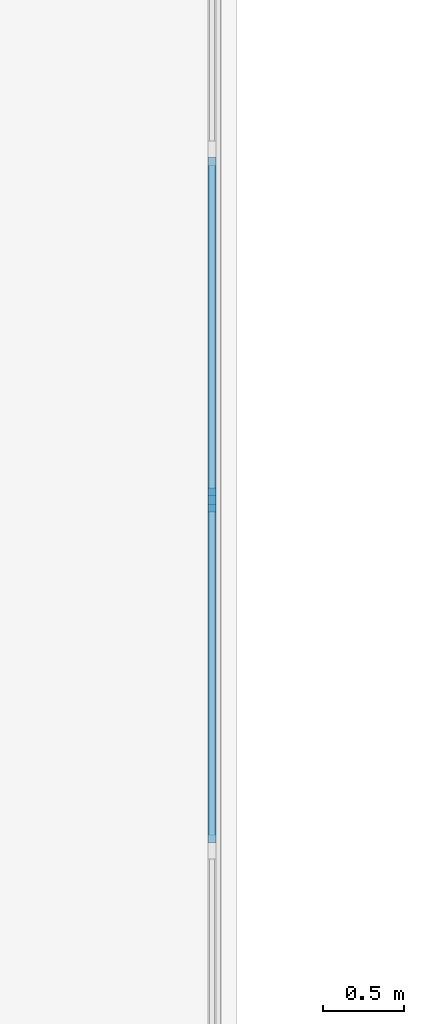
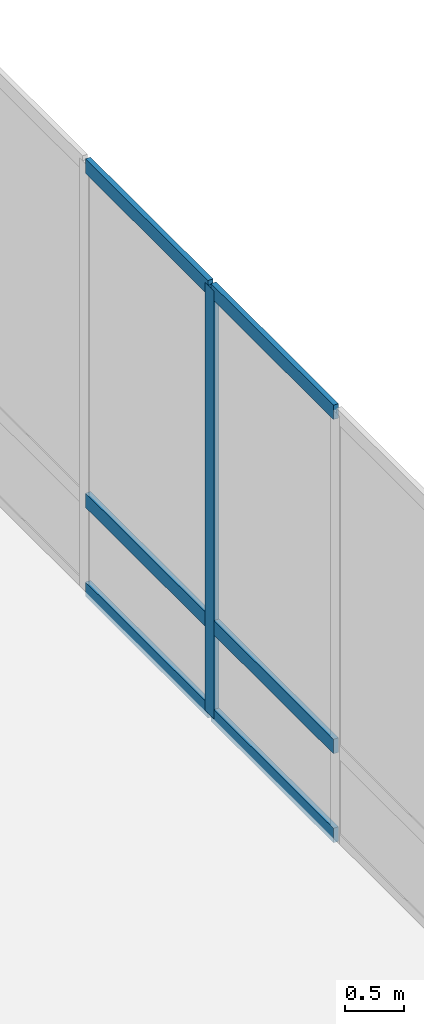
# One storey, part 35 of 126: 7 members, 1 element without a shape of its own.
"""IFC4 building model written with IfcOpenShell, lengths in metres."""

from ifc_helpers import new_model, si_unit, derived_unit, direction, frame, origin, origin_2d, place, context, subcontext, project, spatial, rectangle, extrude, material, layer, layer_set, material_profile, profile_set, type_object, element, aggregate, save


model = new_model("IFC4")

# Units and contexts
model_context = context("Model", 3, precision=1e-05, world=origin(), true_north=direction((0.0, 1.0)))
body_context = subcontext(model_context, "Body", "Model", "MODEL_VIEW")
ifc_project = project(units=[si_unit("LENGTHUNIT", "METRE"), si_unit("AREAUNIT", "SQUARE_METRE"), si_unit("VOLUMEUNIT", "CUBIC_METRE"), si_unit("PLANEANGLEUNIT", "RADIAN"), si_unit("MASSUNIT", "GRAM", prefix="KILO"), derived_unit("THERMALTRANSMITTANCEUNIT", [(si_unit("MASSUNIT", "GRAM", prefix="KILO"), 1), (si_unit("TIMEUNIT", "SECOND"), -3), (si_unit("THERMODYNAMICTEMPERATUREUNIT", "KELVIN"), -1)])], contexts=[model_context])

# Site, building, storey
site_placement = place(None, origin())
site = spatial("IfcSite", under=ifc_project, at=site_placement, CompositionType="ELEMENT")
building_placement = place(site_placement, origin())
building = spatial("IfcBuilding", under=site, at=building_placement, Name="Valcora Ridge Arena", CompositionType="ELEMENT")
storey_placement = place(building_placement, frame((0.0, 0.0, 11.39990234375)))
storey = spatial("IfcBuildingStorey", under=building, at=storey_placement, Name="L02", CompositionType="ELEMENT", Elevation=11.39990234375)

# Curtain wall, members
ifc_material = material(Name="Anodised dark bronze architectural aluminium 6063-T6", Category="aluminium")
ifc_layer = layer(ifc_material, 0.14990234375, Name="Anodised dark bronze architectural aluminium 6063-T6")
ifc_layer_set = layer_set([ifc_layer], Name="Anodised dark bronze architectural aluminium 6063-T6")
curtain_wall_type = type_object("IfcCurtainWallType", Name="TY-CURTAINWALL-CW-V1-EAST-769X44", PredefinedType="NOTDEFINED", material=ifc_layer_set)
curtain_wall_placement = place(storey_placement, origin())
curtain_wall = element("IfcCurtainWall", 1, at=curtain_wall_placement, inside=storey, type_object=curtain_wall_type, Name="CW-V1-EAST-769X44 CW-0129", PredefinedType="NOTDEFINED")
ifc_material_profile_1 = material_profile(ifc_material, rectangle(XDim=0.050048828125, YDim=0.14990234375, at=origin_2d()), Name="ALU MULLION 50x150")
ifc_profile_set_1 = profile_set([ifc_material_profile_1], Name="Anodised dark bronze architectural aluminium 6063-T6")
member_type_1 = type_object("IfcMemberType", Name="TY-MEM-CWM-50x150", PredefinedType="MULLION", material=ifc_profile_set_1)
member_1_placement = place(storey_placement, frame((99.449951171875, 94.02294921875, 0.0), z_axis=(0.0, 0.0, 1.0), x_axis=(-1.0, 0.0, 0.0)))
member_1 = element("IfcMember", 2, at=member_1_placement, type_object=member_type_1, Name="CW-0129/CWM-50x150/M32", PredefinedType="MULLION", context=body_context, shape_type="SweptSolid", body=[
    extrude(rectangle(XDim=0.050048828125, YDim=0.14990234375, at=origin_2d()), origin(), (0.0, 0.0, 1.0), 4.4501953125),
])
ifc_material_profile_2 = material_profile(ifc_material, rectangle(XDim=0.050048828125, YDim=0.14990234375, at=origin_2d()), Name="ALU TRANSOM 50x150")
ifc_profile_set_2 = profile_set([ifc_material_profile_2], Name="Anodised dark bronze architectural aluminium 6063-T6")
member_type_2 = type_object("IfcMemberType", Name="TY-MEM-CWT-50x150", PredefinedType="USERDEFINED", material=ifc_profile_set_2)
member_2_placement = place(storey_placement, frame((99.449951171875, 91.91064453125, 0.025146484375), z_axis=(0.0, 1.0, 0.0), x_axis=(-1.0, 0.0, 0.0)))
member_2 = element("IfcMember", 3, at=member_2_placement, type_object=member_type_2, Name="CW-0129/CWT-50x150/T31-00", ObjectType="TRANSOM", PredefinedType="USERDEFINED", context=body_context, shape_type="SweptSolid", body=[
    extrude(rectangle(XDim=0.050048828125, YDim=0.14990234375, at=origin_2d()), origin(), (0.0, 0.0, 1.0), 2.087158203125),
])
member_3_placement = place(storey_placement, frame((99.449951171875, 91.91064453125, 0.9501953125), z_axis=(0.0, 1.0, 0.0), x_axis=(-1.0, 0.0, 0.0)))
member_3 = element("IfcMember", 4, at=member_3_placement, type_object=member_type_2, Name="CW-0129/CWT-50x150/T31-01", ObjectType="TRANSOM", PredefinedType="USERDEFINED", context=body_context, shape_type="SweptSolid", body=[
    extrude(rectangle(XDim=0.050048828125, YDim=0.14990234375, at=origin_2d()), origin(), (0.0, 0.0, 1.0), 2.087158203125),
])
member_4_placement = place(storey_placement, frame((99.449951171875, 91.91064453125, 4.425048828125), z_axis=(0.0, 1.0, 0.0), x_axis=(-1.0, 0.0, 0.0)))
member_4 = element("IfcMember", 5, at=member_4_placement, type_object=member_type_2, Name="CW-0129/CWT-50x150/T31-02", ObjectType="TRANSOM", PredefinedType="USERDEFINED", context=body_context, shape_type="SweptSolid", body=[
    extrude(rectangle(XDim=0.050048828125, YDim=0.14990234375, at=origin_2d()), origin(), (0.0, 0.0, 1.0), 2.087158203125),
])
member_5_placement = place(storey_placement, frame((99.449951171875, 94.047607421875, 0.025146484375), z_axis=(0.0, 1.0, 0.0), x_axis=(-1.0, 0.0, 0.0)))
member_5 = element("IfcMember", 6, at=member_5_placement, type_object=member_type_2, Name="CW-0129/CWT-50x150/T32-00", ObjectType="TRANSOM", PredefinedType="USERDEFINED", context=body_context, shape_type="SweptSolid", body=[
    extrude(rectangle(XDim=0.050048828125, YDim=0.14990234375, at=origin_2d()), origin(), (0.0, 0.0, 1.0), 2.088134765625),
])
member_6_placement = place(storey_placement, frame((99.449951171875, 94.047607421875, 0.9501953125), z_axis=(0.0, 1.0, 0.0), x_axis=(-1.0, 0.0, 0.0)))
member_6 = element("IfcMember", 7, at=member_6_placement, type_object=member_type_2, Name="CW-0129/CWT-50x150/T32-01", ObjectType="TRANSOM", PredefinedType="USERDEFINED", context=body_context, shape_type="SweptSolid", body=[
    extrude(rectangle(XDim=0.050048828125, YDim=0.14990234375, at=origin_2d()), origin(), (0.0, 0.0, 1.0), 2.088134765625),
])
member_7_placement = place(storey_placement, frame((99.449951171875, 94.047607421875, 4.425048828125), z_axis=(0.0, 1.0, 0.0), x_axis=(-1.0, 0.0, 0.0)))
member_7 = element("IfcMember", 8, at=member_7_placement, type_object=member_type_2, Name="CW-0129/CWT-50x150/T32-02", ObjectType="TRANSOM", PredefinedType="USERDEFINED", context=body_context, shape_type="SweptSolid", body=[
    extrude(rectangle(XDim=0.050048828125, YDim=0.14990234375, at=origin_2d()), origin(), (0.0, 0.0, 1.0), 2.088134765625),
])
aggregate(curtain_wall, [member_1, member_2, member_3, member_4, member_5, member_6, member_7])

save(model, "model.ifc")
